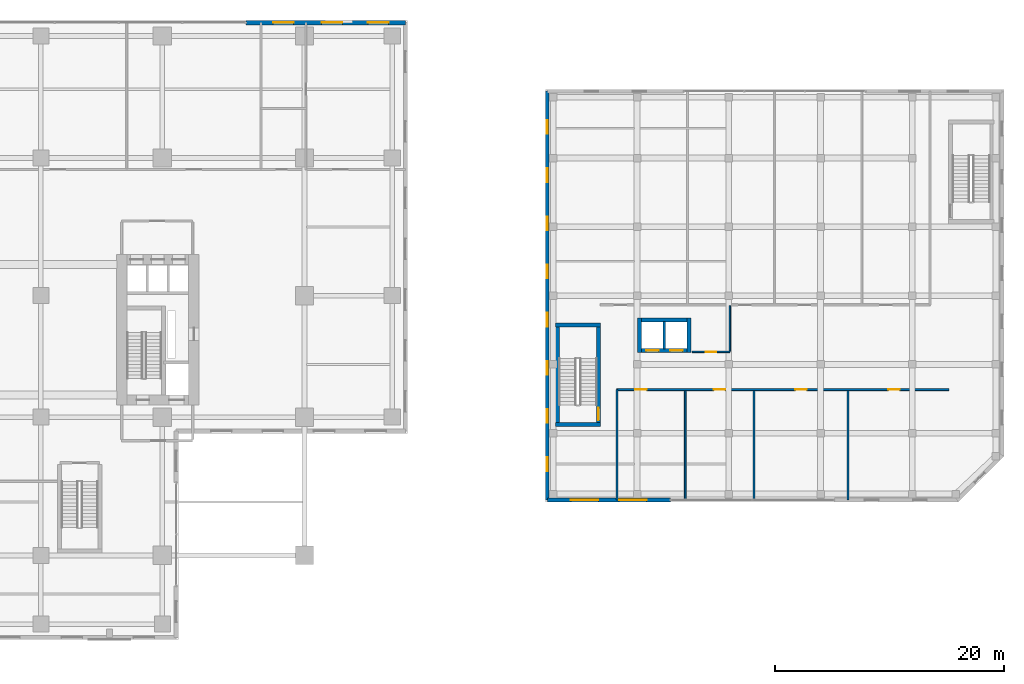
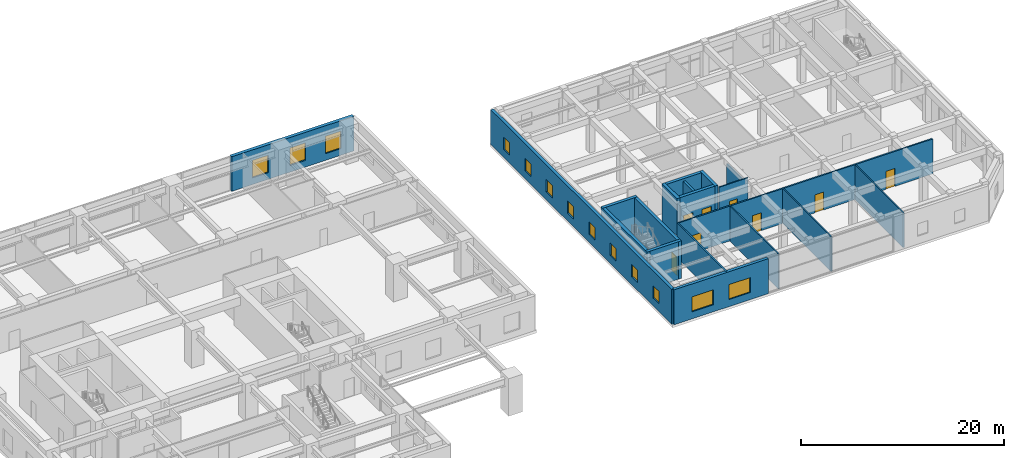
# One storey, part 21 of 26: 19 walls, 13 windows, 8 doors, 21 openings.
"""IFC4 building model written with IfcOpenShell, lengths in metres."""

from ifc_helpers import new_model, si_unit, direction, frame, frame_2d, origin, place, context, subcontext, project, spatial, rectangle, extrude, source, transform, mapped, material, layer, layer_set, type_object, element, fill, save


model = new_model("IFC4")

# Units and contexts
model_context = context("Model", 3, precision=1e-05, world=origin(), true_north=direction((0.0, 1.0)))
body_context = subcontext(model_context, "Body", "Model", "MODEL_VIEW")
ifc_project = project(units=[si_unit("LENGTHUNIT", "METRE"), si_unit("AREAUNIT", "SQUARE_METRE"), si_unit("VOLUMEUNIT", "CUBIC_METRE"), si_unit("PLANEANGLEUNIT", "RADIAN"), si_unit("MASSUNIT", "GRAM", prefix="KILO")], contexts=[model_context])

# Site, building, storey
site_placement = place(None, origin())
site = spatial("IfcSite", under=ifc_project, at=site_placement, CompositionType="ELEMENT")
building_placement = place(site_placement, origin())
building = spatial("IfcBuilding", under=site, at=building_placement, Name="Khoralis Quay Care Tower", CompositionType="ELEMENT")
storey_placement = place(building_placement, frame((0.0, 0.0, 4.5)))
storey = spatial("IfcBuildingStorey", under=building, at=storey_placement, Name="L01", CompositionType="ELEMENT", Elevation=4.5)

# Wall, openings, doors
ifc_material_1 = material(Name="Gypsum plasterboard on acoustic metal stud")
ifc_layer_1 = layer(ifc_material_1, 0.1650390625)
ifc_layer_set_1 = layer_set([ifc_layer_1], Name="Gypsum plasterboard on acoustic metal stud")
wall_type_1 = type_object("IfcWallType", Name="WL-CORR-165", PredefinedType="PARTITIONING", material=ifc_layer_set_1)
wall_1_placement = place(storey_placement, frame((74.25, 15.800048828125, 0.0), z_axis=(0.0, 0.0, 1.0), x_axis=(1.0, 0.0, 0.0)))
wall_1 = element("IfcWall", 1, at=wall_1_placement, inside=storey, type_object=wall_type_1, Name="L01 School Corridor South Wall", PredefinedType="PARTITIONING", context=body_context, shape_type="SweptSolid", body=[
    extrude(rectangle(XDim=28.949951171875, YDim=0.1650390625, at=frame_2d((14.47509765625, 0.0))), origin(), (0.0, 0.0, 1.0), 4.199951171875),
])
opening_1_placement = place(wall_1_placement, frame((1.60009765625, 0.0, 0.0)))
opening_1 = element("IfcOpeningElement", 2, at=opening_1_placement, cuts=wall_1, Name="Opening SCD1", PredefinedType="OPENING", context=body_context, shape_type="SweptSolid", body=[
    extrude(rectangle(XDim=1.0, YDim=2.14990234375, at=frame_2d((0.5, 1.074951171875))), frame((0.0, 0.092529296875, 0.0), z_axis=(0.0, -1.0, 0.0), x_axis=(1.0, 0.0, 0.0)), (0.0, 0.0, 1.0), 0.18505859375),
])
opening_2_placement = place(wall_1_placement, frame((8.449951171875, 0.0, 0.0)))
opening_2 = element("IfcOpeningElement", 3, at=opening_2_placement, cuts=wall_1, Name="Opening SCD1", PredefinedType="OPENING", context=body_context, shape_type="SweptSolid", body=[
    extrude(rectangle(XDim=1.0, YDim=2.14990234375, at=frame_2d((0.5, 1.074951171875))), frame((0.0, 0.092529296875, 0.0), z_axis=(0.0, -1.0, 0.0), x_axis=(1.0, 0.0, 0.0)), (0.0, 0.0, 1.0), 0.18505859375),
])
opening_3_placement = place(wall_1_placement, frame((15.550048828125, 0.0, 0.0)))
opening_3 = element("IfcOpeningElement", 4, at=opening_3_placement, cuts=wall_1, Name="Opening SCD1", PredefinedType="OPENING", context=body_context, shape_type="SweptSolid", body=[
    extrude(rectangle(XDim=1.0, YDim=2.14990234375, at=frame_2d((0.5, 1.074951171875))), frame((0.0, 0.092529296875, 0.0), z_axis=(0.0, -1.0, 0.0), x_axis=(1.0, 0.0, 0.0)), (0.0, 0.0, 1.0), 0.18505859375),
])
opening_4_placement = place(wall_1_placement, frame((23.64990234375, 0.0, 0.0)))
opening_4 = element("IfcOpeningElement", 5, at=opening_4_placement, cuts=wall_1, Name="Opening SCD1", PredefinedType="OPENING", context=body_context, shape_type="SweptSolid", body=[
    extrude(rectangle(XDim=1.0, YDim=2.14990234375, at=frame_2d((0.5, 1.074951171875))), frame((0.0, 0.092529296875, 0.0), z_axis=(0.0, -1.0, 0.0), x_axis=(1.0, 0.0, 0.0)), (0.0, 0.0, 1.0), 0.18505859375),
])
ifc_material_2 = material(Name="Acoustic hardwood timber", Category="wood")
door_type_1 = type_object("IfcDoorType", Name="DR-SCH-1000X2150", OperationType="NOTDEFINED", PredefinedType="DOOR", material=ifc_material_2)
shared_shape_1 = source(origin(), body_context, "Body", "SweptSolid", [
    extrude(rectangle(XDim=1.0, YDim=2.14990234375, at=frame_2d((0.5, 1.074951171875))), frame((0.0, 0.02490234375, 0.0), z_axis=(0.0, -1.0, 0.0), x_axis=(1.0, 0.0, 0.0)), (0.0, 0.0, 1.0), 0.050048828125),
])
door_1_placement = place(opening_1_placement, frame((1.0, 0.0, 0.0), z_axis=(0.0, 0.0, 1.0), x_axis=(-1.0, 0.0, 0.0)))
door_1 = element("IfcDoor", 6, at=door_1_placement, inside=storey, type_object=door_type_1, Name="L01 STEM Science Laboratory Door", OperationType="SINGLE_SWING_LEFT", OverallHeight=2.14990234375, OverallWidth=1.0, PredefinedType="DOOR", context=body_context, shape_type="MappedRepresentation", body=[
    mapped(shared_shape_1, transform((0.0, 0.0, 0.0), scale=1.0)),
])
fill(opening_1, door_1)
door_2_placement = place(opening_2_placement, frame((1.0, 0.0, 0.0), z_axis=(0.0, 0.0, 1.0), x_axis=(-1.0, 0.0, 0.0)))
door_2 = element("IfcDoor", 7, at=door_2_placement, inside=storey, type_object=door_type_1, Name="L01 Digital Media Classroom Door", OperationType="SINGLE_SWING_RIGHT", OverallHeight=2.14990234375, OverallWidth=1.0, PredefinedType="DOOR", context=body_context, shape_type="MappedRepresentation", body=[
    mapped(shared_shape_1, transform((0.0, 0.0, 0.0), scale=1.0)),
])
fill(opening_2, door_2)
door_3_placement = place(opening_3_placement, frame((1.0, 0.0, 0.0), z_axis=(0.0, 0.0, 1.0), x_axis=(-1.0, 0.0, 0.0)))
door_3 = element("IfcDoor", 8, at=door_3_placement, inside=storey, type_object=door_type_1, Name="L01 Music & Drama Atelier Door", OperationType="SINGLE_SWING_LEFT", OverallHeight=2.14990234375, OverallWidth=1.0, PredefinedType="DOOR", context=body_context, shape_type="MappedRepresentation", body=[
    mapped(shared_shape_1, transform((0.0, 0.0, 0.0), scale=1.0)),
])
fill(opening_3, door_3)
door_4_placement = place(opening_4_placement, frame((1.0, 0.0, 0.0), z_axis=(0.0, 0.0, 1.0), x_axis=(-1.0, 0.0, 0.0)))
door_4 = element("IfcDoor", 9, at=door_4_placement, inside=storey, type_object=door_type_1, Name="L01 Primary Classroom Door", OperationType="SINGLE_SWING_RIGHT", OverallHeight=2.14990234375, OverallWidth=1.0, PredefinedType="DOOR", context=body_context, shape_type="MappedRepresentation", body=[
    mapped(shared_shape_1, transform((0.0, 0.0, 0.0), scale=1.0)),
])
fill(opening_4, door_4)

# Wall
wall_2_placement = place(storey_placement, frame((74.25, 6.18505859375, 0.0), z_axis=(0.0, 0.0, 1.0), x_axis=(0.0, 1.0, 0.0)))
element("IfcWall", 10, at=wall_2_placement, inside=storey, type_object=wall_type_1, Name="L01 School Stair Vestibule East Wall", PredefinedType="PARTITIONING", context=body_context, shape_type="SweptSolid", body=[
    extrude(rectangle(XDim=9.614990234375, YDim=0.1650390625, at=frame_2d((4.8076171875, 0.0))), origin(), (0.0, 0.0, 1.0), 4.199951171875),
])

# Wall, openings, windows
ifc_material_3 = material(Name="Precast concrete C45/55", Category="concrete")
ifc_layer_2 = layer(ifc_material_3, 0.3798828125)
ifc_layer_set_2 = layer_set([ifc_layer_2], Name="Precast concrete C45/55")
wall_type_2 = type_object("IfcWallType", Name="WL-EXT-POD-380", PredefinedType="SOLIDWALL", material=ifc_layer_set_2)
wall_3_placement = place(storey_placement, frame((55.81005859375, 47.81005859375, 0.0), z_axis=(0.0, 0.0, 1.0), x_axis=(-1.0, 0.0, 0.0)))
wall_3 = element("IfcWall", 11, at=wall_3_placement, inside=storey, type_object=wall_type_2, Name="L01 External Facade Wall WL-POD-L01-E4A", PredefinedType="SOLIDWALL", context=body_context, shape_type="SweptSolid", body=[
    extrude(rectangle(XDim=13.905029296875, YDim=0.3798828125, at=frame_2d((6.95263671875, 0.0))), origin(), (0.0, 0.0, 1.0), 4.159912109375),
])
opening_5_placement = place(wall_3_placement, frame((1.4775390625, 0.0, 0.800048828125)))
opening_5 = element("IfcOpeningElement", 12, at=opening_5_placement, cuts=wall_3, Name="Opening W2", PredefinedType="OPENING", context=body_context, shape_type="SweptSolid", body=[
    extrude(rectangle(XDim=1.800048828125, YDim=2.10009765625, at=frame_2d((0.89990234375, 1.050048828125))), frame((0.0, 0.199951171875, 0.0), z_axis=(0.0, -1.0, 0.0), x_axis=(1.0, 0.0, 0.0)), (0.0, 0.0, 1.0), 0.39990234375),
])
opening_6_placement = place(wall_3_placement, frame((5.512451171875, 0.0, 0.800048828125)))
opening_6 = element("IfcOpeningElement", 13, at=opening_6_placement, cuts=wall_3, Name="Opening W2", PredefinedType="OPENING", context=body_context, shape_type="SweptSolid", body=[
    extrude(rectangle(XDim=1.800048828125, YDim=2.10009765625, at=frame_2d((0.89990234375, 1.050048828125))), frame((0.0, 0.199951171875, 0.0), z_axis=(0.0, -1.0, 0.0), x_axis=(1.0, 0.0, 0.0)), (0.0, 0.0, 1.0), 0.39990234375),
])
opening_7_placement = place(wall_3_placement, frame((9.75, 0.0, 0.800048828125)))
opening_7 = element("IfcOpeningElement", 14, at=opening_7_placement, cuts=wall_3, Name="Opening W2", PredefinedType="OPENING", context=body_context, shape_type="SweptSolid", body=[
    extrude(rectangle(XDim=1.800048828125, YDim=2.10009765625, at=frame_2d((0.89990234375, 1.050048828125))), frame((0.0, 0.199951171875, 0.0), z_axis=(0.0, -1.0, 0.0), x_axis=(1.0, 0.0, 0.0)), (0.0, 0.0, 1.0), 0.39990234375),
])
ifc_material_4 = material(Name="Low-E solar-control double glazing", Category="glass")
window_type_1 = type_object("IfcWindowType", Name="WN-POD-1800X2100", PartitioningType="SINGLE_PANEL", PredefinedType="WINDOW", material=ifc_material_4)
shared_shape_2 = source(origin(), body_context, "Body", "SweptSolid", [
    extrude(rectangle(XDim=1.800048828125, YDim=2.10009765625, at=frame_2d((0.89990234375, 1.050048828125))), frame((0.0, 0.030029296875, 0.0), z_axis=(0.0, -1.0, 0.0), x_axis=(1.0, 0.0, 0.0)), (0.0, 0.0, 1.0), 0.06005859375),
])
window_1_placement = place(opening_5_placement, origin())
window_1 = element("IfcWindow", 15, at=window_1_placement, inside=storey, type_object=window_type_1, Name="WN-POD-L01-4A Facade Window 01", OverallHeight=2.10009765625, OverallWidth=1.800048828125, PartitioningType="SINGLE_PANEL", PredefinedType="WINDOW", context=body_context, shape_type="MappedRepresentation", body=[
    mapped(shared_shape_2, transform((0.0, 0.0, 0.0), scale=1.0)),
])
fill(opening_5, window_1)
window_2_placement = place(opening_6_placement, origin())
window_2 = element("IfcWindow", 16, at=window_2_placement, inside=storey, type_object=window_type_1, Name="WN-POD-L01-4A Facade Window 02", OverallHeight=2.10009765625, OverallWidth=1.800048828125, PartitioningType="SINGLE_PANEL", PredefinedType="WINDOW", context=body_context, shape_type="MappedRepresentation", body=[
    mapped(shared_shape_2, transform((0.0, 0.0, 0.0), scale=1.0)),
])
fill(opening_6, window_2)
window_3_placement = place(opening_7_placement, origin())
window_3 = element("IfcWindow", 17, at=window_3_placement, inside=storey, type_object=window_type_1, Name="WN-POD-L01-4A Facade Window 03", OverallHeight=2.10009765625, OverallWidth=1.800048828125, PartitioningType="SINGLE_PANEL", PredefinedType="WINDOW", context=body_context, shape_type="MappedRepresentation", body=[
    mapped(shared_shape_2, transform((0.0, 0.0, 0.0), scale=1.0)),
])
fill(opening_7, window_3)

ifc_material_5 = material(Name="Precast concrete C40/50", Category="concrete")
ifc_layer_3 = layer(ifc_material_5, 0.340087890625)
ifc_layer_set_3 = layer_set([ifc_layer_3], Name="Precast concrete C40/50")
wall_type_3 = type_object("IfcWallType", Name="WL-EXT-SCH-340", PredefinedType="SOLIDWALL", material=ifc_layer_set_3)
wall_4_placement = place(storey_placement, frame((68.169921875, 6.169921875, 0.0), z_axis=(0.0, 0.0, 1.0), x_axis=(1.0, 0.0, 0.0)))
wall_4 = element("IfcWall", 18, at=wall_4_placement, inside=storey, type_object=wall_type_3, Name="L01 External Facade Wall WL-SCH-L01-E0A", PredefinedType="SOLIDWALL", context=body_context, shape_type="SweptSolid", body=[
    extrude(rectangle(XDim=10.72802734375, YDim=0.340087890625, at=frame_2d((5.364013671875, 0.0))), origin(), (0.0, 0.0, 1.0), 4.199951171875),
])
opening_8_placement = place(wall_4_placement, frame((2.06396484375, 0.0, 0.85009765625)))
opening_8 = element("IfcOpeningElement", 19, at=opening_8_placement, cuts=wall_4, Name="Opening W4", PredefinedType="OPENING", context=body_context, shape_type="SweptSolid", body=[
    extrude(rectangle(XDim=2.39990234375, YDim=1.800048828125, at=frame_2d((1.199951171875, 0.89990234375))), frame((0.0, 0.18017578125, 0.0), z_axis=(0.0, -1.0, 0.0), x_axis=(1.0, 0.0, 0.0)), (0.0, 0.0, 1.0), 0.360107421875),
])
opening_9_placement = place(wall_4_placement, frame((6.263916015625, 0.0, 0.85009765625)))
opening_9 = element("IfcOpeningElement", 20, at=opening_9_placement, cuts=wall_4, Name="Opening W4", PredefinedType="OPENING", context=body_context, shape_type="SweptSolid", body=[
    extrude(rectangle(XDim=2.39990234375, YDim=1.800048828125, at=frame_2d((1.199951171875, 0.89990234375))), frame((0.0, 0.18017578125, 0.0), z_axis=(0.0, -1.0, 0.0), x_axis=(1.0, 0.0, 0.0)), (0.0, 0.0, 1.0), 0.360107421875),
])
window_type_2 = type_object("IfcWindowType", Name="WN-SCH-2400X1800", PartitioningType="SINGLE_PANEL", PredefinedType="WINDOW", material=ifc_material_4)
shared_shape_3 = source(origin(), body_context, "Body", "SweptSolid", [
    extrude(rectangle(XDim=2.39990234375, YDim=1.800048828125, at=frame_2d((1.199951171875, 0.89990234375))), frame((0.0, 0.030029296875, 0.0), z_axis=(0.0, -1.0, 0.0), x_axis=(1.0, 0.0, 0.0)), (0.0, 0.0, 1.0), 0.06005859375),
])
window_4_placement = place(opening_8_placement, origin())
window_4 = element("IfcWindow", 21, at=window_4_placement, inside=storey, type_object=window_type_2, Name="WN-SCH-L01-0A Classroom Window 01", OverallHeight=1.800048828125, OverallWidth=2.39990234375, PartitioningType="SINGLE_PANEL", PredefinedType="WINDOW", context=body_context, shape_type="MappedRepresentation", body=[
    mapped(shared_shape_3, transform((0.0, 0.0, 0.0), scale=1.0)),
])
fill(opening_8, window_4)
window_5_placement = place(opening_9_placement, origin())
window_5 = element("IfcWindow", 22, at=window_5_placement, inside=storey, type_object=window_type_2, Name="WN-SCH-L01-0A Classroom Window 02", OverallHeight=1.800048828125, OverallWidth=2.39990234375, PartitioningType="SINGLE_PANEL", PredefinedType="WINDOW", context=body_context, shape_type="MappedRepresentation", body=[
    mapped(shared_shape_3, transform((0.0, 0.0, 0.0), scale=1.0)),
])
fill(opening_9, window_5)

wall_5_placement = place(storey_placement, frame((68.169921875, 41.830078125, 0.0), z_axis=(0.0, 0.0, 1.0), x_axis=(0.0, -1.0, 0.0)))
wall_5 = element("IfcWall", 23, at=wall_5_placement, inside=storey, type_object=wall_type_3, Name="L01 External Facade Wall WL-SCH-L01-E4", PredefinedType="SOLIDWALL", context=body_context, shape_type="SweptSolid", body=[
    extrude(rectangle(XDim=35.66015625, YDim=0.340087890625, at=frame_2d((17.830078125, 0.0))), origin(), (0.0, 0.0, 1.0), 4.199951171875),
])
opening_10_placement = place(wall_5_placement, frame((2.530029296875, 0.0, 0.949951171875)))
opening_10 = element("IfcOpeningElement", 24, at=opening_10_placement, cuts=wall_5, Name="Opening W6", PredefinedType="OPENING", context=body_context, shape_type="SweptSolid", body=[
    extrude(rectangle(XDim=1.199951171875, YDim=1.5, at=frame_2d((0.60009765625, 0.75))), frame((0.0, 0.18017578125, 0.0), z_axis=(0.0, -1.0, 0.0), x_axis=(1.0, 0.0, 0.0)), (0.0, 0.0, 1.0), 0.360107421875),
])
opening_11_placement = place(wall_5_placement, frame((6.72998046875, 0.0, 0.949951171875)))
opening_11 = element("IfcOpeningElement", 25, at=opening_11_placement, cuts=wall_5, Name="Opening W6", PredefinedType="OPENING", context=body_context, shape_type="SweptSolid", body=[
    extrude(rectangle(XDim=1.199951171875, YDim=1.5, at=frame_2d((0.60009765625, 0.75))), frame((0.0, 0.18017578125, 0.0), z_axis=(0.0, -1.0, 0.0), x_axis=(1.0, 0.0, 0.0)), (0.0, 0.0, 1.0), 0.360107421875),
])
opening_12_placement = place(wall_5_placement, frame((10.929931640625, 0.0, 0.949951171875)))
opening_12 = element("IfcOpeningElement", 26, at=opening_12_placement, cuts=wall_5, Name="Opening W6", PredefinedType="OPENING", context=body_context, shape_type="SweptSolid", body=[
    extrude(rectangle(XDim=1.199951171875, YDim=1.5, at=frame_2d((0.60009765625, 0.75))), frame((0.0, 0.18017578125, 0.0), z_axis=(0.0, -1.0, 0.0), x_axis=(1.0, 0.0, 0.0)), (0.0, 0.0, 1.0), 0.360107421875),
])
opening_13_placement = place(wall_5_placement, frame((15.1298828125, 0.0, 0.949951171875)))
opening_13 = element("IfcOpeningElement", 27, at=opening_13_placement, cuts=wall_5, Name="Opening W6", PredefinedType="OPENING", context=body_context, shape_type="SweptSolid", body=[
    extrude(rectangle(XDim=1.199951171875, YDim=1.5, at=frame_2d((0.60009765625, 0.75))), frame((0.0, 0.18017578125, 0.0), z_axis=(0.0, -1.0, 0.0), x_axis=(1.0, 0.0, 0.0)), (0.0, 0.0, 1.0), 0.360107421875),
])
opening_14_placement = place(wall_5_placement, frame((19.330078125, 0.0, 0.949951171875)))
opening_14 = element("IfcOpeningElement", 28, at=opening_14_placement, cuts=wall_5, Name="Opening W6", PredefinedType="OPENING", context=body_context, shape_type="SweptSolid", body=[
    extrude(rectangle(XDim=1.199951171875, YDim=1.5, at=frame_2d((0.60009765625, 0.75))), frame((0.0, 0.18017578125, 0.0), z_axis=(0.0, -1.0, 0.0), x_axis=(1.0, 0.0, 0.0)), (0.0, 0.0, 1.0), 0.360107421875),
])
opening_15_placement = place(wall_5_placement, frame((23.530029296875, 0.0, 0.949951171875)))
opening_15 = element("IfcOpeningElement", 29, at=opening_15_placement, cuts=wall_5, Name="Opening W6", PredefinedType="OPENING", context=body_context, shape_type="SweptSolid", body=[
    extrude(rectangle(XDim=1.199951171875, YDim=1.5, at=frame_2d((0.60009765625, 0.75))), frame((0.0, 0.18017578125, 0.0), z_axis=(0.0, -1.0, 0.0), x_axis=(1.0, 0.0, 0.0)), (0.0, 0.0, 1.0), 0.360107421875),
])
opening_16_placement = place(wall_5_placement, frame((27.72998046875, 0.0, 0.949951171875)))
opening_16 = element("IfcOpeningElement", 30, at=opening_16_placement, cuts=wall_5, Name="Opening W6", PredefinedType="OPENING", context=body_context, shape_type="SweptSolid", body=[
    extrude(rectangle(XDim=1.199951171875, YDim=1.5, at=frame_2d((0.60009765625, 0.75))), frame((0.0, 0.18017578125, 0.0), z_axis=(0.0, -1.0, 0.0), x_axis=(1.0, 0.0, 0.0)), (0.0, 0.0, 1.0), 0.360107421875),
])
opening_17_placement = place(wall_5_placement, frame((31.929931640625, 0.0, 0.949951171875)))
opening_17 = element("IfcOpeningElement", 31, at=opening_17_placement, cuts=wall_5, Name="Opening W6", PredefinedType="OPENING", context=body_context, shape_type="SweptSolid", body=[
    extrude(rectangle(XDim=1.199951171875, YDim=1.5, at=frame_2d((0.60009765625, 0.75))), frame((0.0, 0.18017578125, 0.0), z_axis=(0.0, -1.0, 0.0), x_axis=(1.0, 0.0, 0.0)), (0.0, 0.0, 1.0), 0.360107421875),
])
window_type_3 = type_object("IfcWindowType", Name="WN-SCH-1200X1500", PartitioningType="SINGLE_PANEL", PredefinedType="WINDOW", material=ifc_material_4)
shared_shape_4 = source(origin(), body_context, "Body", "SweptSolid", [
    extrude(rectangle(XDim=1.199951171875, YDim=1.5, at=frame_2d((0.60009765625, 0.75))), frame((0.0, 0.030029296875, 0.0), z_axis=(0.0, -1.0, 0.0), x_axis=(1.0, 0.0, 0.0)), (0.0, 0.0, 1.0), 0.06005859375),
])
window_6_placement = place(opening_10_placement, origin())
window_6 = element("IfcWindow", 32, at=window_6_placement, inside=storey, type_object=window_type_3, Name="WN-SCH-L01-E4 Classroom Window 01", OverallHeight=1.5, OverallWidth=1.199951171875, PartitioningType="SINGLE_PANEL", PredefinedType="WINDOW", context=body_context, shape_type="MappedRepresentation", body=[
    mapped(shared_shape_4, transform((0.0, 0.0, 0.0), scale=1.0)),
])
fill(opening_10, window_6)
window_7_placement = place(opening_11_placement, origin())
window_7 = element("IfcWindow", 33, at=window_7_placement, inside=storey, type_object=window_type_3, Name="WN-SCH-L01-E4 Classroom Window 02", OverallHeight=1.5, OverallWidth=1.199951171875, PartitioningType="SINGLE_PANEL", PredefinedType="WINDOW", context=body_context, shape_type="MappedRepresentation", body=[
    mapped(shared_shape_4, transform((0.0, 0.0, 0.0), scale=1.0)),
])
fill(opening_11, window_7)
window_8_placement = place(opening_12_placement, origin())
window_8 = element("IfcWindow", 34, at=window_8_placement, inside=storey, type_object=window_type_3, Name="WN-SCH-L01-E4 Classroom Window 03", OverallHeight=1.5, OverallWidth=1.199951171875, PartitioningType="SINGLE_PANEL", PredefinedType="WINDOW", context=body_context, shape_type="MappedRepresentation", body=[
    mapped(shared_shape_4, transform((0.0, 0.0, 0.0), scale=1.0)),
])
fill(opening_12, window_8)
window_9_placement = place(opening_13_placement, origin())
window_9 = element("IfcWindow", 35, at=window_9_placement, inside=storey, type_object=window_type_3, Name="WN-SCH-L01-E4 Classroom Window 04", OverallHeight=1.5, OverallWidth=1.199951171875, PartitioningType="SINGLE_PANEL", PredefinedType="WINDOW", context=body_context, shape_type="MappedRepresentation", body=[
    mapped(shared_shape_4, transform((0.0, 0.0, 0.0), scale=1.0)),
])
fill(opening_13, window_9)
window_10_placement = place(opening_14_placement, origin())
window_10 = element("IfcWindow", 36, at=window_10_placement, inside=storey, type_object=window_type_3, Name="WN-SCH-L01-E4 Classroom Window 05", OverallHeight=1.5, OverallWidth=1.199951171875, PartitioningType="SINGLE_PANEL", PredefinedType="WINDOW", context=body_context, shape_type="MappedRepresentation", body=[
    mapped(shared_shape_4, transform((0.0, 0.0, 0.0), scale=1.0)),
])
fill(opening_14, window_10)
window_11_placement = place(opening_15_placement, origin())
window_11 = element("IfcWindow", 37, at=window_11_placement, inside=storey, type_object=window_type_3, Name="WN-SCH-L01-E4 Classroom Window 06", OverallHeight=1.5, OverallWidth=1.199951171875, PartitioningType="SINGLE_PANEL", PredefinedType="WINDOW", context=body_context, shape_type="MappedRepresentation", body=[
    mapped(shared_shape_4, transform((0.0, 0.0, 0.0), scale=1.0)),
])
fill(opening_15, window_11)
window_12_placement = place(opening_16_placement, origin())
window_12 = element("IfcWindow", 38, at=window_12_placement, inside=storey, type_object=window_type_3, Name="WN-SCH-L01-E4 Classroom Window 07", OverallHeight=1.5, OverallWidth=1.199951171875, PartitioningType="SINGLE_PANEL", PredefinedType="WINDOW", context=body_context, shape_type="MappedRepresentation", body=[
    mapped(shared_shape_4, transform((0.0, 0.0, 0.0), scale=1.0)),
])
fill(opening_16, window_12)
window_13_placement = place(opening_17_placement, origin())
window_13 = element("IfcWindow", 39, at=window_13_placement, inside=storey, type_object=window_type_3, Name="WN-SCH-L01-E4 Classroom Window 08", OverallHeight=1.5, OverallWidth=1.199951171875, PartitioningType="SINGLE_PANEL", PredefinedType="WINDOW", context=body_context, shape_type="MappedRepresentation", body=[
    mapped(shared_shape_4, transform((0.0, 0.0, 0.0), scale=1.0)),
])
fill(opening_17, window_13)

# Wall, opening, door
ifc_material_6 = material(Name="Moisture-resistant gypsum and ceramic tile")
ifc_layer_4 = layer(ifc_material_6, 0.280029296875)
ifc_layer_set_4 = layer_set([ifc_layer_4], Name="Moisture-resistant gypsum and ceramic tile")
wall_type_4 = type_object("IfcWallType", Name="WL-PLUMB-280", PredefinedType="PLUMBINGWALL", material=ifc_layer_set_4)
wall_6_placement = place(storey_placement, frame((80.800048828125, 19.10009765625, 0.0), z_axis=(0.0, 0.0, 1.0), x_axis=(1.0, 0.0, 0.0)))
wall_6 = element("IfcWall", 40, at=wall_6_placement, inside=storey, type_object=wall_type_4, Name="L01 School WC South Wall", PredefinedType="PLUMBINGWALL", context=body_context, shape_type="SweptSolid", body=[
    extrude(rectangle(XDim=3.300048828125, YDim=0.139892578125, at=frame_2d((1.64990234375, 0.0))), origin(), (0.0, 0.0, 1.0), 4.199951171875),
])
opening_18_placement = place(wall_6_placement, frame((1.199951171875, 0.0, 0.0)))
opening_18 = element("IfcOpeningElement", 41, at=opening_18_placement, cuts=wall_6, Name="Opening WD1", PredefinedType="OPENING", context=body_context, shape_type="SweptSolid", body=[
    extrude(rectangle(XDim=0.89990234375, YDim=2.10009765625, at=frame_2d((0.449951171875, 1.050048828125))), frame((0.0, 0.080078125, 0.0), z_axis=(0.0, -1.0, 0.0), x_axis=(1.0, 0.0, 0.0)), (0.0, 0.0, 1.0), 0.159912109375),
])
door_type_2 = type_object("IfcDoorType", Name="DR-BATH-900X2100", OperationType="NOTDEFINED", PredefinedType="DOOR", material=ifc_material_2)
shared_shape_5 = source(origin(), body_context, "Body", "SweptSolid", [
    extrude(rectangle(XDim=0.89990234375, YDim=2.10009765625, at=frame_2d((0.449951171875, 1.050048828125))), frame((0.0, 0.02490234375, 0.0), z_axis=(0.0, -1.0, 0.0), x_axis=(1.0, 0.0, 0.0)), (0.0, 0.0, 1.0), 0.050048828125),
])
door_5_placement = place(opening_18_placement, frame((0.89990234375, 0.0, 0.0), z_axis=(0.0, 0.0, 1.0), x_axis=(-1.0, 0.0, 0.0)))
door_5 = element("IfcDoor", 42, at=door_5_placement, inside=storey, type_object=door_type_2, Name="L01 School Accessible WC Door", OperationType="SINGLE_SWING_LEFT", OverallHeight=2.10009765625, OverallWidth=0.89990234375, PredefinedType="DOOR", context=body_context, shape_type="MappedRepresentation", body=[
    mapped(shared_shape_5, transform((0.0, 0.0, 0.0), scale=1.0)),
])
fill(opening_18, door_5)

# Wall
wall_7_placement = place(storey_placement, frame((84.10009765625, 19.1650390625, 0.0), z_axis=(0.0, 0.0, 1.0), x_axis=(0.0, 1.0, 0.0)))
element("IfcWall", 43, at=wall_7_placement, inside=storey, type_object=wall_type_4, Name="L01 School WC East Wall", PredefinedType="PLUMBINGWALL", context=body_context, shape_type="SweptSolid", body=[
    extrude(rectangle(XDim=3.95751953125, YDim=0.139892578125, at=frame_2d((1.978759765625, 0.0))), origin(), (0.0, 0.0, 1.0), 3.449951171875),
])

# Wall, opening, door
ifc_material_7 = material(Name="Concrete C40/50", Category="concrete")
ifc_layer_5 = layer(ifc_material_7, 0.35009765625)
ifc_layer_set_5 = layer_set([ifc_layer_5], Name="Concrete C40/50")
wall_type_5 = type_object("IfcWallType", Name="WL-SC-CORE-350", PredefinedType="SHEAR", material=ifc_layer_set_5)
wall_8_placement = place(storey_placement, frame((72.655029296875, 12.570068359375, 0.0), z_axis=(0.0, 0.0, 1.0), x_axis=(0.0, 1.0, 0.0)))
wall_8 = element("IfcWall", 44, at=wall_8_placement, inside=storey, type_object=wall_type_5, Name="L01 School Stair ST-S1 East Shear Wall", PredefinedType="SHEAR", context=body_context, shape_type="SweptSolid", body=[
    extrude(rectangle(XDim=9.059814453125, YDim=0.35009765625, at=frame_2d((4.52978515625, 0.0))), origin(), (0.0, 0.0, 1.0), 4.5),
])
opening_19_placement = place(wall_8_placement, frame((0.550048828125, 0.0, 0.0)))
opening_19 = element("IfcOpeningElement", 45, at=opening_19_placement, cuts=wall_8, Name="Opening SD1", PredefinedType="OPENING", context=body_context, shape_type="SweptSolid", body=[
    extrude(rectangle(XDim=1.10009765625, YDim=2.199951171875, at=frame_2d((0.550048828125, 1.10009765625))), frame((0.0, 0.18505859375, 0.0), z_axis=(0.0, -1.0, 0.0), x_axis=(1.0, 0.0, 0.0)), (0.0, 0.0, 1.0), 0.3701171875),
])
ifc_material_8 = material(Name="Fire-rated painted steel", Category="steel")
door_type_3 = type_object("IfcDoorType", Name="DR-STAIR-1100X2200", OperationType="NOTDEFINED", PredefinedType="DOOR", material=ifc_material_8)
shared_shape_6 = source(origin(), body_context, "Body", "SweptSolid", [
    extrude(rectangle(XDim=1.10009765625, YDim=2.199951171875, at=frame_2d((0.550048828125, 1.10009765625))), frame((0.0, 0.02490234375, 0.0), z_axis=(0.0, -1.0, 0.0), x_axis=(1.0, 0.0, 0.0)), (0.0, 0.0, 1.0), 0.050048828125),
])
door_6_placement = place(opening_19_placement, origin())
door_6 = element("IfcDoor", 46, at=door_6_placement, inside=storey, type_object=door_type_3, Name="L01 School Stair ST-S1 Door", OperationType="SINGLE_SWING_LEFT", OverallHeight=2.199951171875, OverallWidth=1.10009765625, PredefinedType="DOOR", context=body_context, shape_type="MappedRepresentation", body=[
    mapped(shared_shape_6, transform((0.0, 0.0, 0.0), scale=1.0)),
])
fill(opening_19, door_6)

# Walls
for number, where, z_axis, x_axis, name in (
    (47, (68.8701171875, 12.7451171875, 0.0), (0.0, 0.0, 1.0), (1.0, 0.0, 0.0), "L01 School Stair ST-S1 South Shear Wall"),
    (48, (68.8701171875, 21.455078125, 0.0), (0.0, 0.0, 1.0), (1.0, 0.0, 0.0), "L01 School Stair ST-S1 North Shear Wall"),
):
    element("IfcWall", number, at=place(storey_placement, frame(where, z_axis=z_axis, x_axis=x_axis)), inside=storey, type_object=wall_type_5, Name=name, PredefinedType="SHEAR", context=body_context, shape_type="SweptSolid", body=[
        extrude(rectangle(XDim=3.9599609375, YDim=0.35009765625, at=frame_2d((1.97998046875, 0.0))), origin(), (0.0, 0.0, 1.0), 4.5),
    ])
wall_9_placement = place(storey_placement, frame((69.044921875, 12.570068359375, 0.0), z_axis=(0.0, 0.0, 1.0), x_axis=(0.0, 1.0, 0.0)))
element("IfcWall", 49, at=wall_9_placement, inside=storey, type_object=wall_type_5, Name="L01 School Stair ST-S1 West Shear Wall", PredefinedType="SHEAR", context=body_context, shape_type="SweptSolid", body=[
    extrude(rectangle(XDim=9.059814453125, YDim=0.35009765625, at=frame_2d((4.52978515625, 0.0))), origin(), (0.0, 0.0, 1.0), 4.5),
])
for number, where, z_axis, x_axis, name in (
    (50, (76.22509765625, 19.050048828125, 0.0), (0.0, 0.0, 1.0), (0.0, 1.0, 0.0), "WL-SCCORE-L01-W"),
    (51, (80.52490234375, 19.050048828125, 0.0), (0.0, 0.0, 1.0), (0.0, 1.0, 0.0), "WL-SCCORE-L01-E"),
):
    element("IfcWall", number, at=place(storey_placement, frame(where, z_axis=z_axis, x_axis=x_axis)), inside=storey, type_object=wall_type_5, Name=name, PredefinedType="SHEAR", context=body_context, shape_type="SweptSolid", body=[
        extrude(rectangle(XDim=3.0, YDim=0.35009765625, at=frame_2d((1.5, 0.0))), origin(), (0.0, 0.0, 1.0), 4.5),
    ])
wall_10_placement = place(storey_placement, frame((76.39990234375, 21.875, 0.0), z_axis=(0.0, 0.0, 1.0), x_axis=(1.0, 0.0, 0.0)))
element("IfcWall", 52, at=wall_10_placement, inside=storey, type_object=wall_type_5, Name="WL-SCCORE-L01-N", PredefinedType="SHEAR", context=body_context, shape_type="SweptSolid", body=[
    extrude(rectangle(XDim=3.9501953125, YDim=0.35009765625, at=frame_2d((1.97509765625, 0.0))), origin(), (0.0, 0.0, 1.0), 4.5),
])

# Wall, openings, doors
wall_11_placement = place(storey_placement, frame((76.39990234375, 19.22509765625, 0.0), z_axis=(0.0, 0.0, 1.0), x_axis=(1.0, 0.0, 0.0)))
wall_11 = element("IfcWall", 53, at=wall_11_placement, inside=storey, type_object=wall_type_5, Name="WL-SCCORE-L01-S", PredefinedType="SHEAR", context=body_context, shape_type="SweptSolid", body=[
    extrude(rectangle(XDim=3.9501953125, YDim=0.35009765625, at=frame_2d((1.97509765625, 0.0))), origin(), (0.0, 0.0, 1.0), 4.5),
])
opening_20_placement = place(wall_11_placement, frame((0.3798828125, 0.0, 0.0)))
opening_20 = element("IfcOpeningElement", 54, at=opening_20_placement, cuts=wall_11, Name="Opening LD1", PredefinedType="OPENING", context=body_context, shape_type="SweptSolid", body=[
    extrude(rectangle(XDim=1.10009765625, YDim=2.199951171875, at=frame_2d((0.550048828125, 1.10009765625))), frame((0.0, 0.18505859375, 0.0), z_axis=(0.0, -1.0, 0.0), x_axis=(1.0, 0.0, 0.0)), (0.0, 0.0, 1.0), 0.3701171875),
])
opening_21_placement = place(wall_11_placement, frame((2.47998046875, 0.0, 0.0)))
opening_21 = element("IfcOpeningElement", 55, at=opening_21_placement, cuts=wall_11, Name="Opening LD1", PredefinedType="OPENING", context=body_context, shape_type="SweptSolid", body=[
    extrude(rectangle(XDim=1.10009765625, YDim=2.199951171875, at=frame_2d((0.550048828125, 1.10009765625))), frame((0.0, 0.18505859375, 0.0), z_axis=(0.0, -1.0, 0.0), x_axis=(1.0, 0.0, 0.0)), (0.0, 0.0, 1.0), 0.3701171875),
])
ifc_material_9 = material(Name="Brushed stainless steel", Category="steel")
door_type_4 = type_object("IfcDoorType", Name="DR-LIFT-1100X2200", OperationType="SLIDING_TO_LEFT", PredefinedType="DOOR", material=ifc_material_9)
shared_shape_7 = source(origin(), body_context, "Body", "SweptSolid", [
    extrude(rectangle(XDim=1.10009765625, YDim=2.199951171875, at=frame_2d((0.550048828125, 1.10009765625))), frame((0.0, 0.02490234375, 0.0), z_axis=(0.0, -1.0, 0.0), x_axis=(1.0, 0.0, 0.0)), (0.0, 0.0, 1.0), 0.050048828125),
])
door_7_placement = place(opening_20_placement, origin())
door_7 = element("IfcDoor", 56, at=door_7_placement, inside=storey, type_object=door_type_4, Name="L01 School Lift 1 Door", OperationType="SLIDING_TO_LEFT", OverallHeight=2.199951171875, OverallWidth=1.10009765625, PredefinedType="DOOR", context=body_context, shape_type="MappedRepresentation", body=[
    mapped(shared_shape_7, transform((0.0, 0.0, 0.0), scale=1.0)),
])
fill(opening_20, door_7)
door_8_placement = place(opening_21_placement, origin())
door_8 = element("IfcDoor", 57, at=door_8_placement, inside=storey, type_object=door_type_4, Name="L01 School Lift 2 Door", OperationType="SLIDING_TO_RIGHT", OverallHeight=2.199951171875, OverallWidth=1.10009765625, PredefinedType="DOOR", context=body_context, shape_type="MappedRepresentation", body=[
    mapped(shared_shape_7, transform((0.0, 0.0, 0.0), scale=1.0)),
])
fill(opening_21, door_8)

# Walls
ifc_layer_6 = layer(ifc_material_1, 0.239990234375)
ifc_layer_set_6 = layer_set([ifc_layer_6], Name="Gypsum plasterboard on acoustic metal stud")
wall_type_6 = type_object("IfcWallType", Name="WL-SHAFT-240", PredefinedType="PARTITIONING", material=ifc_layer_set_6)
wall_12_placement = place(storey_placement, frame((78.3798828125, 19.35009765625, 0.0), z_axis=(0.0, 0.0, 1.0), x_axis=(0.0, 1.0, 0.0)))
element("IfcWall", 58, at=wall_12_placement, inside=storey, type_object=wall_type_6, Name="L01 School Lift Divider", PredefinedType="PARTITIONING", context=body_context, shape_type="SweptSolid", body=[
    extrude(rectangle(XDim=2.39990234375, YDim=0.239990234375, at=frame_2d((1.199951171875, 0.0))), origin(), (0.0, 0.0, 1.0), 4.199951171875),
])
ifc_layer_7 = layer(ifc_material_1, 0.139892578125)
ifc_layer_set_7 = layer_set([ifc_layer_7], Name="Gypsum plasterboard on acoustic metal stud")
wall_type_7 = type_object("IfcWallType", Name="WL-UNIT-140", PredefinedType="PARTITIONING", material=ifc_layer_set_7)
for number, where, z_axis, x_axis, name in (
    (59, (80.199951171875, 6.18505859375, 0.0), (0.0, 0.0, 1.0), (0.0, 1.0, 0.0), "L01 School South Classroom Wall 1"),
    (60, (86.199951171875, 6.18505859375, 0.0), (0.0, 0.0, 1.0), (0.0, 1.0, 0.0), "L01 School South Classroom Wall 2"),
    (61, (94.39990234375, 6.18505859375, 0.0), (0.0, 0.0, 1.0), (0.0, 1.0, 0.0), "L01 School South Classroom Wall 3"),
):
    element("IfcWall", number, at=place(storey_placement, frame(where, z_axis=z_axis, x_axis=x_axis)), inside=storey, type_object=wall_type_7, Name=name, PredefinedType="PARTITIONING", context=body_context, shape_type="SweptSolid", body=[
        extrude(rectangle(XDim=9.537353515625, YDim=0.139892578125, at=frame_2d((4.7685546875, 0.0))), origin(), (0.0, 0.0, 1.0), 4.199951171875),
    ])

save(model, "model.ifc")
